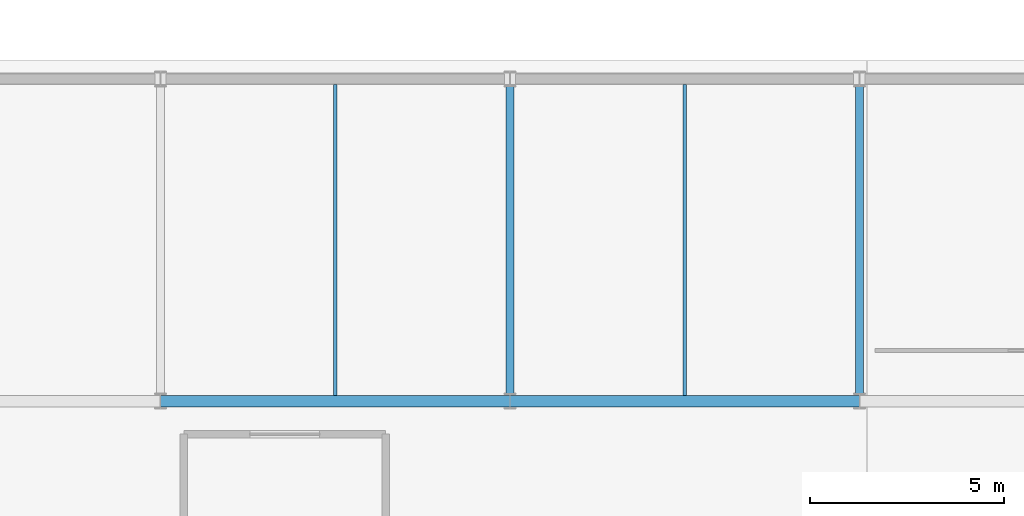
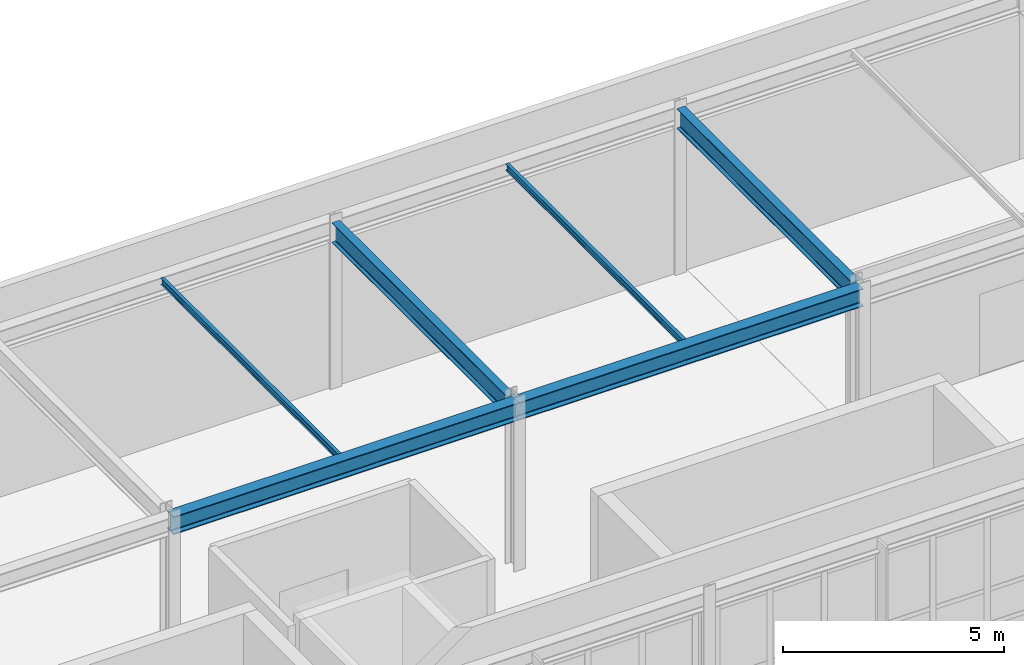
# One storey, part 11 of 38: 6 beams.
"""IFC4 building model written with IfcOpenShell, lengths in metres."""

from ifc_helpers import new_model, si_unit, direction, frame, origin, origin_2d, place, context, subcontext, project, spatial, i_section, extrude, material, material_profile, profile_set, type_object, element, save


model = new_model("IFC4")

# Units and contexts
model_context = context("Model", 3, precision=1e-05, world=origin(), true_north=direction((0.0, 1.0)))
body_context = subcontext(model_context, "Body", "Model", "MODEL_VIEW")
ifc_project = project(units=[si_unit("LENGTHUNIT", "METRE"), si_unit("AREAUNIT", "SQUARE_METRE"), si_unit("VOLUMEUNIT", "CUBIC_METRE"), si_unit("PLANEANGLEUNIT", "RADIAN"), si_unit("MASSUNIT", "GRAM", prefix="KILO")], contexts=[model_context])

# Site, building, storey
site_placement = place(None, origin())
site = spatial("IfcSite", under=ifc_project, at=site_placement, CompositionType="ELEMENT")
building_placement = place(site_placement, origin())
building = spatial("IfcBuilding", under=site, at=building_placement, Name="Kaldris Quays Convention Centre", CompositionType="ELEMENT")
storey_placement = place(building_placement, frame((0.0, 0.0, 21.60009765625)))
storey = spatial("IfcBuildingStorey", under=building, at=storey_placement, Name="L04", CompositionType="ELEMENT", Elevation=21.60009765625)

# Beams
ifc_material = material(Name="Steel S355J2", Category="steel")
ifc_material_profile_1 = material_profile(ifc_material, i_section(OverallWidth=0.300048828125, OverallDepth=0.489990234375, WebThickness=0.011962890625, FlangeThickness=0.02294921875, FilletRadius=0.027099609375, at=origin_2d()), Name="HEA 500")
ifc_profile_set_1 = profile_set([ifc_material_profile_1], Name="Steel S355J2")
beam_type_1 = type_object("IfcBeamType", Name="STRUCTURAL BEAM BM09", PredefinedType="BEAM", material=ifc_profile_set_1)
for number, where, z_axis, x_axis, name in (
    (1, (101.000732421875, 46.60009765625, 4.347900390625), (1.0, 0.0, 0.0), (0.0, 1.0, 0.0), "L04 Girder BM09 10"),
    (2, (110.000732421875, 46.60009765625, 4.347900390625), (1.0, 0.0, 0.0), (0.0, 1.0, 0.0), "L04 Girder BM09 11"),
):
    element("IfcBeam", number, at=place(storey_placement, frame(where, z_axis=z_axis, x_axis=x_axis)), inside=storey, type_object=beam_type_1, Name=name, PredefinedType="BEAM", context=body_context, shape_type="SweptSolid", body=[
        extrude(i_section(OverallWidth=0.300048828125, OverallDepth=0.489990234375, WebThickness=0.011962890625, FlangeThickness=0.02294921875, FilletRadius=0.027099609375, at=origin_2d()), origin(), (0.0, 0.0, 1.0), 8.99853515625),
    ])
ifc_material_profile_2 = material_profile(ifc_material, i_section(OverallWidth=0.2099609375, OverallDepth=0.550048828125, WebThickness=0.010986328125, FlangeThickness=0.01708984375, FilletRadius=0.02392578125, at=origin_2d()), Name="IPE 550")
ifc_profile_set_2 = profile_set([ifc_material_profile_2], Name="Steel S355J2")
beam_type_2 = type_object("IfcBeamType", Name="STRUCTURAL BEAM BM11", PredefinedType="BEAM", material=ifc_profile_set_2)
for number, where, z_axis, x_axis, name in (
    (3, (110.0, 46.7939453125, 4.31787109375), (0.0, 1.0, 0.0), (-1.0, 0.0, 0.0), "L04 Girder BM11 40"),
    (4, (119.0, 46.7939453125, 4.31787109375), (0.0, 1.0, 0.0), (-1.0, 0.0, 0.0), "L04 Girder BM11 41"),
):
    element("IfcBeam", number, at=place(storey_placement, frame(where, z_axis=z_axis, x_axis=x_axis)), inside=storey, type_object=beam_type_2, Name=name, PredefinedType="BEAM", context=body_context, shape_type="SweptSolid", body=[
        extrude(i_section(OverallWidth=0.2099609375, OverallDepth=0.550048828125, WebThickness=0.010986328125, FlangeThickness=0.01708984375, FilletRadius=0.02392578125, at=origin_2d()), origin(), (0.0, 0.0, 1.0), 7.912109375),
    ])
ifc_material_profile_3 = material_profile(ifc_material, i_section(OverallWidth=0.091064453125, OverallDepth=0.179931640625, WebThickness=0.00537109375, FlangeThickness=0.008056640625, FilletRadius=0.009033203125, at=origin_2d()), Name="IPE 180")
ifc_profile_set_3 = profile_set([ifc_material_profile_3], Name="Steel S355J2")
beam_type_3 = type_object("IfcBeamType", Name="STRUCTURAL BEAM JT10", PredefinedType="JOIST", material=ifc_profile_set_3)
for number, where, z_axis, x_axis, name in (
    (5, (105.5, 46.743896484375, 4.5029296875), (0.0, 1.0, 0.0), (-1.0, 0.0, 0.0), "L04 Secondary Joist JT10 4"),
    (6, (114.5, 46.743896484375, 4.5029296875), (0.0, 1.0, 0.0), (-1.0, 0.0, 0.0), "L04 Secondary Joist JT10 5"),
):
    element("IfcBeam", number, at=place(storey_placement, frame(where, z_axis=z_axis, x_axis=x_axis)), inside=storey, type_object=beam_type_3, Name=name, PredefinedType="JOIST", context=body_context, shape_type="SweptSolid", body=[
        extrude(i_section(OverallWidth=0.091064453125, OverallDepth=0.179931640625, WebThickness=0.00537109375, FlangeThickness=0.008056640625, FilletRadius=0.009033203125, at=origin_2d()), origin(), (0.0, 0.0, 1.0), 8.01220703125),
    ])

save(model, "model.ifc")
